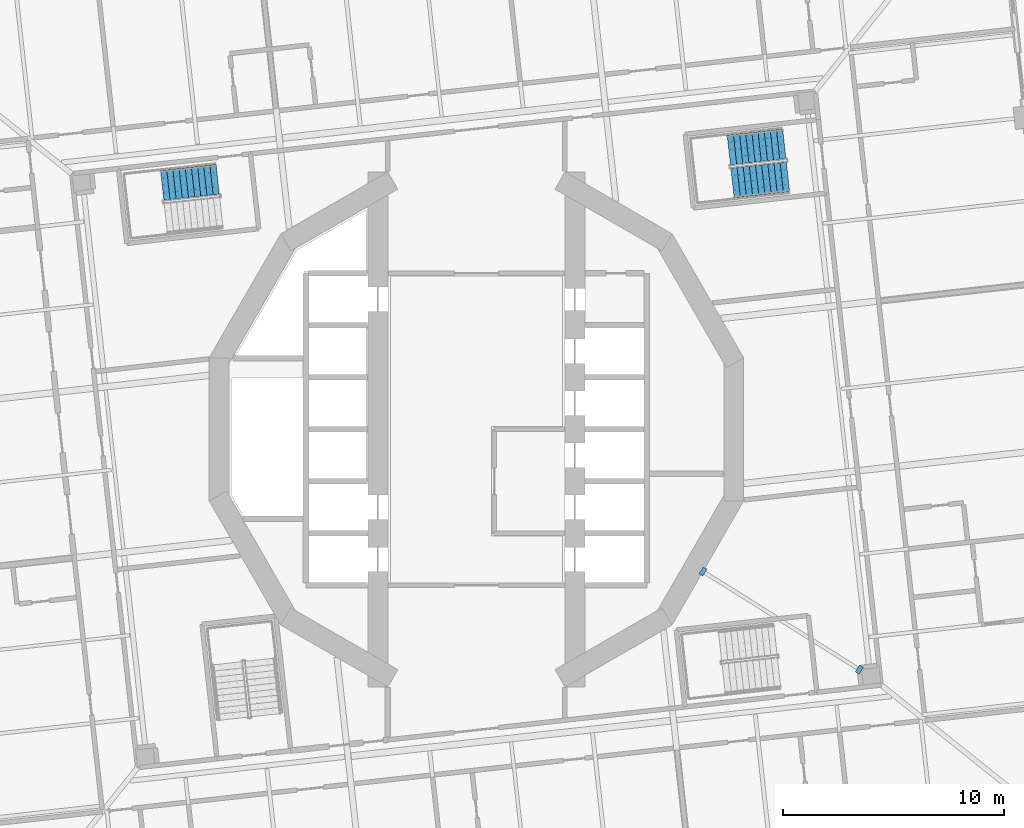
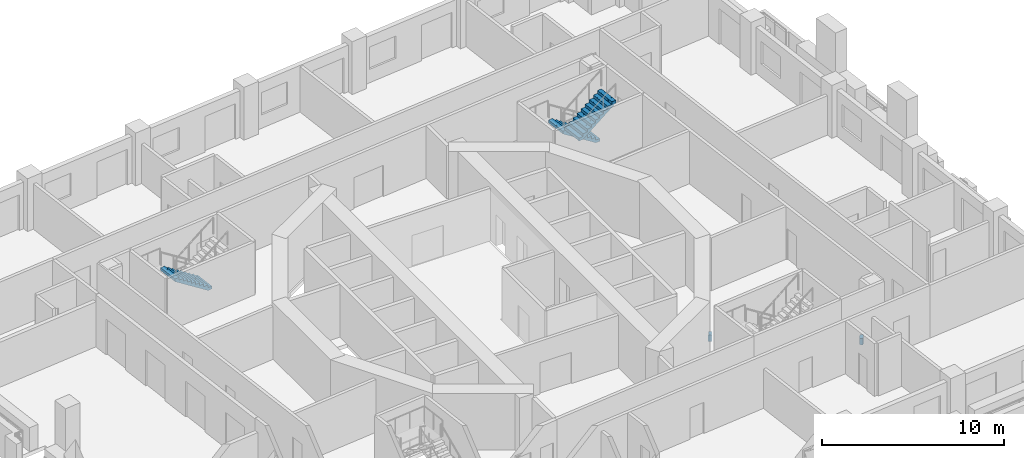
# One storey, part 11 of 19: 3 stair flights, 2 discrete accessories, 2 elements without a shape of their own.
"""IFC4 building model written with IfcOpenShell, lengths in metres."""

from ifc_helpers import new_model, si_unit, direction, frame, origin, place, context, subcontext, project, spatial, polyline, outline, extrude, material, layer, layer_set, type_object, element, aggregate, save


model = new_model("IFC4")

# Units and contexts
model_context = context("Model", 3, precision=1e-05, world=origin(), true_north=direction((0.0, 1.0)))
body_context = subcontext(model_context, "Body", "Model", "MODEL_VIEW")
ifc_project = project(units=[si_unit("LENGTHUNIT", "METRE"), si_unit("AREAUNIT", "SQUARE_METRE"), si_unit("VOLUMEUNIT", "CUBIC_METRE"), si_unit("PLANEANGLEUNIT", "RADIAN"), si_unit("MASSUNIT", "GRAM", prefix="KILO")], contexts=[model_context])

# Site, building, storey
site_placement = place(None, origin())
site = spatial("IfcSite", under=ifc_project, at=site_placement, CompositionType="ELEMENT")
building_placement = place(site_placement, origin())
building = spatial("IfcBuilding", under=site, at=building_placement, Name="Cantera Rosa Tower", CompositionType="ELEMENT")
storey_placement = place(building_placement, frame((0.0, 0.0, 65.300048828125)))
storey = spatial("IfcBuildingStorey", under=building, at=storey_placement, Name="L13", CompositionType="ELEMENT", Elevation=65.300048828125)

# Stair, stair flights
ifc_material_1 = material(Name="Concrete C35/45", Category="concrete")
stair_type = type_object("IfcStairType", Name="EXIT STAIR 1350 DOGLEG", PredefinedType="HALF_TURN_STAIR", material=ifc_material_1)
stair_1_placement = place(storey_placement, origin())
stair_1 = element("IfcStair", 1, at=stair_1_placement, inside=storey, type_object=stair_type, Name="L13 ST-11", PredefinedType="HALF_TURN_STAIR")
ifc_material_2 = material(Name="Concrete C35/45", Category="concrete")
stair_flight_type = type_object("IfcStairFlightType", Name="STAIR FLIGHT 1350 R20x190", PredefinedType="STRAIGHT", material=ifc_material_2)
stair_flight_1_placement = place(storey_placement, frame((13.90869140625, 12.89990234375, 0.0), z_axis=(0.0, 0.0, 1.0), x_axis=(-0.993896947056, -0.110312549749, 0.0)))
stair_flight_1 = element("IfcStairFlight", 2, at=stair_flight_1_placement, type_object=stair_flight_type, Name="ST-11 flight 1", NumberOfRisers=10, NumberOfTreads=9, PredefinedType="STRAIGHT", RiserHeight=0.19, TreadLength=0.28, context=body_context, shape_type="SweptSolid", body=[
    extrude(outline(polyline([(0.0, 0.0), (0.0, 0.18994140625), (0.280029296875, 0.18994140625), (0.280029296875, 0.3798828125), (0.56005859375, 0.3798828125), (0.56005859375, 0.570068359375), (0.840087890625, 0.570068359375), (0.840087890625, 0.760009765625), (1.1201171875, 0.760009765625), (1.1201171875, 0.949951171875), (1.39990234375, 0.949951171875), (1.39990234375, 1.139892578125), (1.679931640625, 1.139892578125), (1.679931640625, 1.330078125), (1.9599609375, 1.330078125), (1.9599609375, 1.52001953125), (2.239990234375, 1.52001953125), (2.239990234375, 1.7099609375), (2.52001953125, 1.7099609375), (2.52001953125, 1.89990234375), (2.52001953125, 1.52880859375), (0.266845703125, 0.0), (0.0, 0.0)])), frame((0.0, 0.675048828125, 0.0), z_axis=(0.0, -1.0, 0.0), x_axis=(1.0, 0.0, 0.0)), (0.0, 0.0, 1.0), 0.3359375),
    extrude(outline(polyline([(0.0, 0.0), (0.0, 0.18994140625), (0.280029296875, 0.18994140625), (0.280029296875, 0.3798828125), (0.56005859375, 0.3798828125), (0.56005859375, 0.570068359375), (0.840087890625, 0.570068359375), (0.840087890625, 0.760009765625), (1.1201171875, 0.760009765625), (1.1201171875, 0.949951171875), (1.39990234375, 0.949951171875), (1.39990234375, 1.139892578125), (1.679931640625, 1.139892578125), (1.679931640625, 1.330078125), (1.9599609375, 1.330078125), (1.9599609375, 1.52001953125), (2.239990234375, 1.52001953125), (2.239990234375, 1.7099609375), (2.52001953125, 1.7099609375), (2.52001953125, 1.89990234375), (2.52001953125, 1.52880859375), (0.266845703125, 0.0), (0.0, 0.0)])), frame((0.0, 0.337158203125, 0.0), z_axis=(0.0, -1.0, 0.0), x_axis=(1.0, 0.0, 0.0)), (0.0, 0.0, 1.0), 0.3359375),
    extrude(outline(polyline([(0.0, 0.0), (0.0, 0.18994140625), (0.280029296875, 0.18994140625), (0.280029296875, 0.3798828125), (0.56005859375, 0.3798828125), (0.56005859375, 0.570068359375), (0.840087890625, 0.570068359375), (0.840087890625, 0.760009765625), (1.1201171875, 0.760009765625), (1.1201171875, 0.949951171875), (1.39990234375, 0.949951171875), (1.39990234375, 1.139892578125), (1.679931640625, 1.139892578125), (1.679931640625, 1.330078125), (1.9599609375, 1.330078125), (1.9599609375, 1.52001953125), (2.239990234375, 1.52001953125), (2.239990234375, 1.7099609375), (2.52001953125, 1.7099609375), (2.52001953125, 1.89990234375), (2.52001953125, 1.52880859375), (0.266845703125, 0.0), (0.0, 0.0)])), frame((0.0, -0.000732421875, 0.0), z_axis=(0.0, -1.0, 0.0), x_axis=(1.0, 0.0, 0.0)), (0.0, 0.0, 1.0), 0.3359375),
    extrude(outline(polyline([(0.0, 0.0), (0.0, 0.18994140625), (0.280029296875, 0.18994140625), (0.280029296875, 0.3798828125), (0.56005859375, 0.3798828125), (0.56005859375, 0.570068359375), (0.840087890625, 0.570068359375), (0.840087890625, 0.760009765625), (1.1201171875, 0.760009765625), (1.1201171875, 0.949951171875), (1.39990234375, 0.949951171875), (1.39990234375, 1.139892578125), (1.679931640625, 1.139892578125), (1.679931640625, 1.330078125), (1.9599609375, 1.330078125), (1.9599609375, 1.52001953125), (2.239990234375, 1.52001953125), (2.239990234375, 1.7099609375), (2.52001953125, 1.7099609375), (2.52001953125, 1.89990234375), (2.52001953125, 1.52880859375), (0.266845703125, 0.0), (0.0, 0.0)])), frame((0.0, -0.338623046875, 0.0), z_axis=(0.0, -1.0, 0.0), x_axis=(1.0, 0.0, 0.0)), (0.0, 0.0, 1.0), 0.3359375),
])
stair_flight_2_placement = place(storey_placement, frame((11.569580078125, 11.131103515625, 1.89990234375), z_axis=(0.0, 0.0, 1.0), x_axis=(0.993896947056, 0.110312549749, 0.0)))
stair_flight_2 = element("IfcStairFlight", 3, at=stair_flight_2_placement, type_object=stair_flight_type, Name="ST-11 flight 2", NumberOfRisers=10, NumberOfTreads=9, PredefinedType="STRAIGHT", RiserHeight=0.19, TreadLength=0.28, context=body_context, shape_type="SweptSolid", body=[
    extrude(outline(polyline([(0.0, 0.0), (0.0, 0.18994140625), (0.280029296875, 0.18994140625), (0.280029296875, 0.3798828125), (0.56005859375, 0.3798828125), (0.56005859375, 0.570068359375), (0.840087890625, 0.570068359375), (0.840087890625, 0.760009765625), (1.1201171875, 0.760009765625), (1.1201171875, 0.949951171875), (1.39990234375, 0.949951171875), (1.39990234375, 1.139892578125), (1.679931640625, 1.139892578125), (1.679931640625, 1.330078125), (1.9599609375, 1.330078125), (1.9599609375, 1.52001953125), (2.239990234375, 1.52001953125), (2.239990234375, 1.7099609375), (2.52001953125, 1.7099609375), (2.52001953125, 1.89990234375), (2.52001953125, 1.52880859375), (0.266845703125, 0.0), (0.0, 0.0)])), frame((0.0, 0.675048828125, 0.0), z_axis=(0.0, -1.0, 0.0), x_axis=(1.0, 0.0, 0.0)), (0.0, 0.0, 1.0), 0.3359375),
    extrude(outline(polyline([(0.0, 0.0), (0.0, 0.18994140625), (0.280029296875, 0.18994140625), (0.280029296875, 0.3798828125), (0.56005859375, 0.3798828125), (0.56005859375, 0.570068359375), (0.840087890625, 0.570068359375), (0.840087890625, 0.760009765625), (1.1201171875, 0.760009765625), (1.1201171875, 0.949951171875), (1.39990234375, 0.949951171875), (1.39990234375, 1.139892578125), (1.679931640625, 1.139892578125), (1.679931640625, 1.330078125), (1.9599609375, 1.330078125), (1.9599609375, 1.52001953125), (2.239990234375, 1.52001953125), (2.239990234375, 1.7099609375), (2.52001953125, 1.7099609375), (2.52001953125, 1.89990234375), (2.52001953125, 1.52880859375), (0.266845703125, 0.0), (0.0, 0.0)])), frame((0.0, 0.337158203125, 0.0), z_axis=(0.0, -1.0, 0.0), x_axis=(1.0, 0.0, 0.0)), (0.0, 0.0, 1.0), 0.3359375),
    extrude(outline(polyline([(0.0, 0.0), (0.0, 0.18994140625), (0.280029296875, 0.18994140625), (0.280029296875, 0.3798828125), (0.56005859375, 0.3798828125), (0.56005859375, 0.570068359375), (0.840087890625, 0.570068359375), (0.840087890625, 0.760009765625), (1.1201171875, 0.760009765625), (1.1201171875, 0.949951171875), (1.39990234375, 0.949951171875), (1.39990234375, 1.139892578125), (1.679931640625, 1.139892578125), (1.679931640625, 1.330078125), (1.9599609375, 1.330078125), (1.9599609375, 1.52001953125), (2.239990234375, 1.52001953125), (2.239990234375, 1.7099609375), (2.52001953125, 1.7099609375), (2.52001953125, 1.89990234375), (2.52001953125, 1.52880859375), (0.266845703125, 0.0), (0.0, 0.0)])), frame((0.0, -0.000732421875, 0.0), z_axis=(0.0, -1.0, 0.0), x_axis=(1.0, 0.0, 0.0)), (0.0, 0.0, 1.0), 0.3359375),
    extrude(outline(polyline([(0.0, 0.0), (0.0, 0.18994140625), (0.280029296875, 0.18994140625), (0.280029296875, 0.3798828125), (0.56005859375, 0.3798828125), (0.56005859375, 0.570068359375), (0.840087890625, 0.570068359375), (0.840087890625, 0.760009765625), (1.1201171875, 0.760009765625), (1.1201171875, 0.949951171875), (1.39990234375, 0.949951171875), (1.39990234375, 1.139892578125), (1.679931640625, 1.139892578125), (1.679931640625, 1.330078125), (1.9599609375, 1.330078125), (1.9599609375, 1.52001953125), (2.239990234375, 1.52001953125), (2.239990234375, 1.7099609375), (2.52001953125, 1.7099609375), (2.52001953125, 1.89990234375), (2.52001953125, 1.52880859375), (0.266845703125, 0.0), (0.0, 0.0)])), frame((0.0, -0.338623046875, 0.0), z_axis=(0.0, -1.0, 0.0), x_axis=(1.0, 0.0, 0.0)), (0.0, 0.0, 1.0), 0.3359375),
])
aggregate(stair_1, [stair_flight_1, stair_flight_2])

# Stair, stair flight
stair_2_placement = place(storey_placement, origin())
stair_2 = element("IfcStair", 4, at=stair_2_placement, inside=storey, type_object=stair_type, Name="L13 ST-12", PredefinedType="HALF_TURN_STAIR")
stair_flight_3_placement = place(storey_placement, frame((-11.691162109375, 11.2998046875, 0.0), z_axis=(0.0, 0.0, 1.0), x_axis=(-0.993896947056, -0.110312549749, 0.0)))
stair_flight_3 = element("IfcStairFlight", 5, at=stair_flight_3_placement, type_object=stair_flight_type, Name="ST-12 flight 1", NumberOfRisers=10, NumberOfTreads=9, PredefinedType="STRAIGHT", RiserHeight=0.19, TreadLength=0.28, context=body_context, shape_type="SweptSolid", body=[
    extrude(outline(polyline([(0.0, 0.0), (0.0, 0.18994140625), (0.280029296875, 0.18994140625), (0.280029296875, 0.3798828125), (0.56005859375, 0.3798828125), (0.56005859375, 0.570068359375), (0.840087890625, 0.570068359375), (0.840087890625, 0.760009765625), (1.1201171875, 0.760009765625), (1.1201171875, 0.949951171875), (1.39990234375, 0.949951171875), (1.39990234375, 1.139892578125), (1.679931640625, 1.139892578125), (1.679931640625, 1.330078125), (1.9599609375, 1.330078125), (1.9599609375, 1.52001953125), (2.239990234375, 1.52001953125), (2.239990234375, 1.7099609375), (2.52001953125, 1.7099609375), (2.52001953125, 1.89990234375), (2.52001953125, 1.52880859375), (0.266845703125, 0.0), (0.0, 0.0)])), frame((0.0, 0.675048828125, 0.0), z_axis=(0.0, -1.0, 0.0), x_axis=(1.0, 0.0, 0.0)), (0.0, 0.0, 1.0), 0.3359375),
    extrude(outline(polyline([(0.0, 0.0), (0.0, 0.18994140625), (0.280029296875, 0.18994140625), (0.280029296875, 0.3798828125), (0.56005859375, 0.3798828125), (0.56005859375, 0.570068359375), (0.840087890625, 0.570068359375), (0.840087890625, 0.760009765625), (1.1201171875, 0.760009765625), (1.1201171875, 0.949951171875), (1.39990234375, 0.949951171875), (1.39990234375, 1.139892578125), (1.679931640625, 1.139892578125), (1.679931640625, 1.330078125), (1.9599609375, 1.330078125), (1.9599609375, 1.52001953125), (2.239990234375, 1.52001953125), (2.239990234375, 1.7099609375), (2.52001953125, 1.7099609375), (2.52001953125, 1.89990234375), (2.52001953125, 1.52880859375), (0.266845703125, 0.0), (0.0, 0.0)])), frame((0.0, 0.337158203125, 0.0), z_axis=(0.0, -1.0, 0.0), x_axis=(1.0, 0.0, 0.0)), (0.0, 0.0, 1.0), 0.3359375),
    extrude(outline(polyline([(0.0, 0.0), (0.0, 0.18994140625), (0.280029296875, 0.18994140625), (0.280029296875, 0.3798828125), (0.56005859375, 0.3798828125), (0.56005859375, 0.570068359375), (0.840087890625, 0.570068359375), (0.840087890625, 0.760009765625), (1.1201171875, 0.760009765625), (1.1201171875, 0.949951171875), (1.39990234375, 0.949951171875), (1.39990234375, 1.139892578125), (1.679931640625, 1.139892578125), (1.679931640625, 1.330078125), (1.9599609375, 1.330078125), (1.9599609375, 1.52001953125), (2.239990234375, 1.52001953125), (2.239990234375, 1.7099609375), (2.52001953125, 1.7099609375), (2.52001953125, 1.89990234375), (2.52001953125, 1.52880859375), (0.266845703125, 0.0), (0.0, 0.0)])), frame((0.0, -0.000732421875, 0.0), z_axis=(0.0, -1.0, 0.0), x_axis=(1.0, 0.0, 0.0)), (0.0, 0.0, 1.0), 0.3359375),
    extrude(outline(polyline([(0.0, 0.0), (0.0, 0.18994140625), (0.280029296875, 0.18994140625), (0.280029296875, 0.3798828125), (0.56005859375, 0.3798828125), (0.56005859375, 0.570068359375), (0.840087890625, 0.570068359375), (0.840087890625, 0.760009765625), (1.1201171875, 0.760009765625), (1.1201171875, 0.949951171875), (1.39990234375, 0.949951171875), (1.39990234375, 1.139892578125), (1.679931640625, 1.139892578125), (1.679931640625, 1.330078125), (1.9599609375, 1.330078125), (1.9599609375, 1.52001953125), (2.239990234375, 1.52001953125), (2.239990234375, 1.7099609375), (2.52001953125, 1.7099609375), (2.52001953125, 1.89990234375), (2.52001953125, 1.52880859375), (0.266845703125, 0.0), (0.0, 0.0)])), frame((0.0, -0.338623046875, 0.0), z_axis=(0.0, -1.0, 0.0), x_axis=(1.0, 0.0, 0.0)), (0.0, 0.0, 1.0), 0.3359375),
])
aggregate(stair_2, [stair_flight_3])

# Discrete accessories
ifc_material_3 = material(Name="Steel ASTM A992 (Fy 345 MPa)", Category="steel")
ifc_layer = layer(ifc_material_3, 0.0400390625)
ifc_layer_set = layer_set([ifc_layer], Name="STEEL BEARING PLATE 40")
discrete_accessory_type = type_object("IfcDiscreteAccessoryType", Name="STEEL BEARING PLATE 40", PredefinedType="ANCHORPLATE", material=ifc_layer_set)
discrete_accessory_1_placement = place(storey_placement, frame((0.0, 0.0, -0.72802734375)))
element("IfcDiscreteAccessory", 6, at=discrete_accessory_1_placement, inside=storey, type_object=discrete_accessory_type, Name="BEARING PLATE PG-Z1-01 end 1 L13", PredefinedType="ANCHORPLATE", context=body_context, shape_type="SweptSolid", body=[
    extrude(outline(polyline([(17.12060546875, -10.952392578125), (17.2900390625, -11.05859375), (17.484619140625, -10.74853515625), (17.315185546875, -10.642333984375), (17.12060546875, -10.952392578125)])), origin(), (0.0, 0.0, 1.0), 0.427978515625),
])
discrete_accessory_2_placement = place(storey_placement, frame((0.0, 0.0, -0.72802734375)))
element("IfcDiscreteAccessory", 7, at=discrete_accessory_2_placement, inside=storey, type_object=discrete_accessory_type, Name="BEARING PLATE PG-Z1-01 end 2 L13", PredefinedType="ANCHORPLATE", context=body_context, shape_type="SweptSolid", body=[
    extrude(outline(polyline([(10.41796875, -6.317138671875), (10.248291015625, -6.210693359375), (10.053955078125, -6.52099609375), (10.223388671875, -6.627197265625), (10.41796875, -6.317138671875)])), origin(), (0.0, 0.0, 1.0), 0.427978515625),
])

save(model, "model.ifc")
